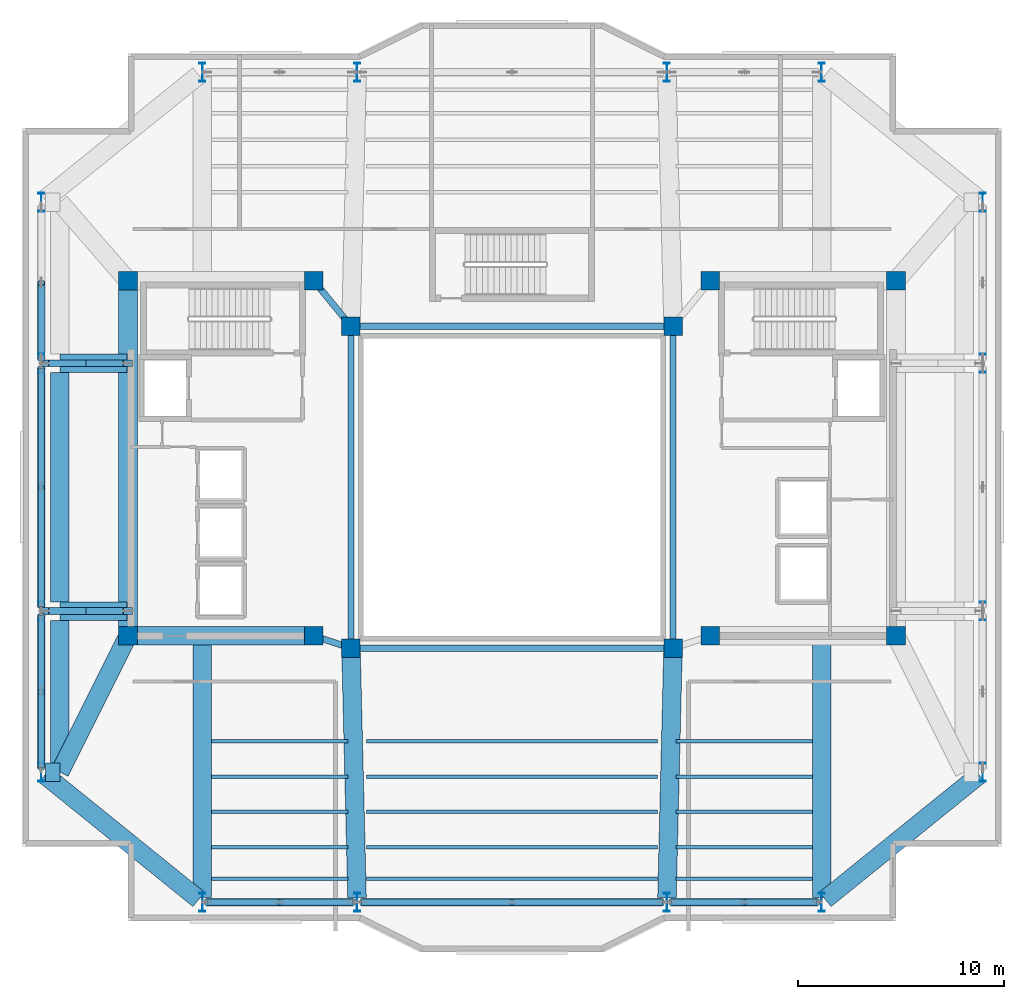
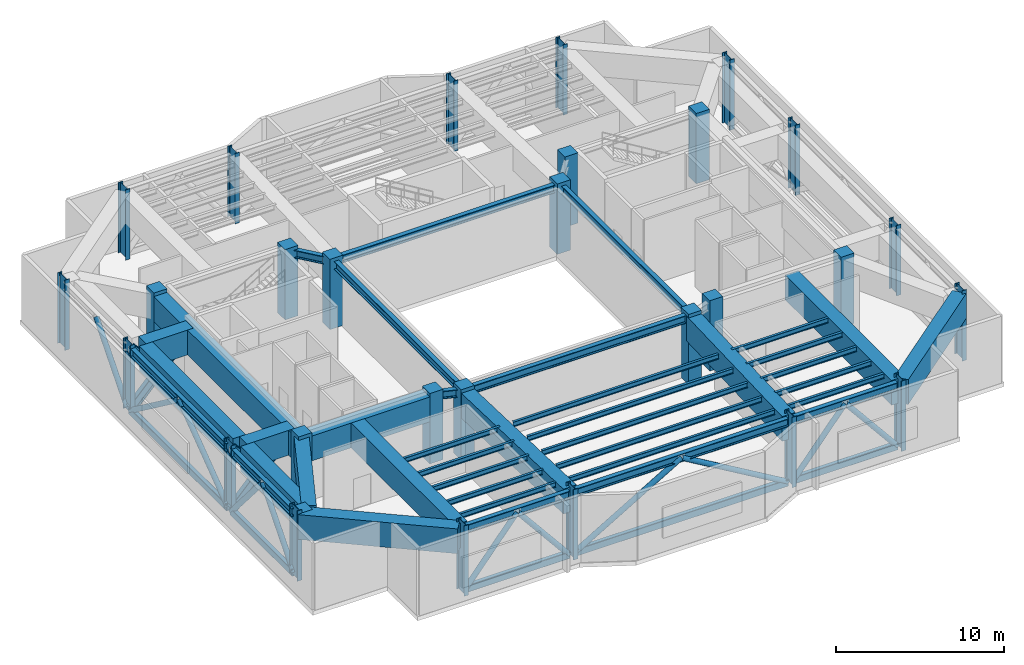
# One storey, part 1 of 13: 40 beams, 28 columns, 20 members.
"""IFC4 building model written with IfcOpenShell, lengths in metres."""

from ifc_helpers import new_model, si_unit, direction, frame, origin, origin_2d, place, context, subcontext, project, spatial, rectangle, hollow_rectangle, hollow_circle, i_section, extrude, material, material_profile, profile_set, type_object, element, save


model = new_model("IFC4")

# Units and contexts
model_context = context("Model", 3, precision=1e-05, world=origin(), true_north=direction((0.0, 1.0)))
body_context = subcontext(model_context, "Body", "Model", "MODEL_VIEW")
ifc_project = project(units=[si_unit("LENGTHUNIT", "METRE"), si_unit("AREAUNIT", "SQUARE_METRE"), si_unit("VOLUMEUNIT", "CUBIC_METRE"), si_unit("PLANEANGLEUNIT", "RADIAN"), si_unit("MASSUNIT", "GRAM", prefix="KILO")], contexts=[model_context])

# Site, building, storey
site_placement = place(None, origin())
site = spatial("IfcSite", under=ifc_project, at=site_placement, CompositionType="ELEMENT")
building_placement = place(site_placement, origin())
building = spatial("IfcBuilding", under=site, at=building_placement, Name="Tarnavaz Court Tower", CompositionType="ELEMENT")
storey_placement = place(building_placement, frame((0.0, 0.0, 236.39990234375)))
storey = spatial("IfcBuildingStorey", under=building, at=storey_placement, Name="L64", CompositionType="ELEMENT", Elevation=236.39990234375)

# Columns
ifc_material_1 = material(Name="Concrete C50/60", Category="concrete")
ifc_material_profile_1 = material_profile(ifc_material_1, rectangle(XDim=0.89990234375, YDim=0.89990234375, at=origin_2d()), Name="RC 900X900")
ifc_profile_set_1 = profile_set([ifc_material_profile_1], Name="Concrete C50/60")
column_type_1 = type_object("IfcColumnType", Name="CL-RC900", PredefinedType="COLUMN", material=ifc_profile_set_1)
for number, where, z_axis, x_axis, name in (
    (1, (-7.800048828125, -7.800048828125, 0.0), (0.0, 0.0, 1.0), (1.0, 0.0, 0.0), "L64 Column IW-SW"),
    (2, (7.800048828125, -7.800048828125, 0.0), (0.0, 0.0, 1.0), (1.0, 0.0, 0.0), "L64 Column IW-SE"),
    (3, (-7.800048828125, 7.800048828125, 0.0), (0.0, 0.0, 1.0), (1.0, 0.0, 0.0), "L64 Column IW-NW"),
    (4, (7.800048828125, 7.800048828125, 0.0), (0.0, 0.0, 1.0), (1.0, 0.0, 0.0), "L64 Column IW-NE"),
    (5, (-9.60009765625, -7.199951171875, 0.0), (0.0, 0.0, 1.0), (1.0, 0.0, 0.0), "L64 Column CW-SI"),
    (6, (-9.60009765625, 10.0, 0.0), (0.0, 0.0, 1.0), (1.0, 0.0, 0.0), "L64 Column CW-NI"),
    (7, (9.60009765625, -7.199951171875, 0.0), (0.0, 0.0, 1.0), (1.0, 0.0, 0.0), "L64 Column CE-SI"),
    (8, (9.60009765625, 10.0, 0.0), (0.0, 0.0, 1.0), (1.0, 0.0, 0.0), "L64 Column CE-NI"),
    (9, (-18.60009765625, -7.199951171875, 0.0), (0.0, 0.0, 1.0), (1.0, 0.0, 0.0), "L64 Column CW-SO"),
    (10, (-18.60009765625, 10.0, 0.0), (0.0, 0.0, 1.0), (1.0, 0.0, 0.0), "L64 Column CW-NO"),
    (11, (18.60009765625, -7.199951171875, 0.0), (0.0, 0.0, 1.0), (1.0, 0.0, 0.0), "L64 Column CE-SO"),
    (12, (18.60009765625, 10.0, 0.0), (0.0, 0.0, 1.0), (1.0, 0.0, 0.0), "L64 Column CE-NO"),
):
    element("IfcColumn", number, at=place(storey_placement, frame(where, z_axis=z_axis, x_axis=x_axis)), inside=storey, type_object=column_type_1, Name=name, PredefinedType="COLUMN", context=body_context, shape_type="SweptSolid", body=[
        extrude(rectangle(XDim=0.89990234375, YDim=0.89990234375, at=origin_2d()), origin(), (0.0, 0.0, 1.0), 5.10009765625),
    ])
ifc_material_2 = material(Name="Steel S460", Category="steel")
ifc_material_profile_2 = material_profile(ifc_material_2, i_section(OverallWidth=0.302001953125, OverallDepth=0.909912109375, WebThickness=0.02099609375, FlangeThickness=0.0400390625, FilletRadius=0.030029296875, at=origin_2d()), Name="HEM 900")
ifc_profile_set_2 = profile_set([ifc_material_profile_2], Name="Steel S460")
column_type_2 = type_object("IfcColumnType", Name="CL-S460-HEM900", PredefinedType="COLUMN", material=ifc_profile_set_2)
for number, where, z_axis, x_axis, name in (
    (13, (-15.0, 20.10009765625, 0.0), (0.0, 0.0, 1.0), (1.0, 0.0, 0.0), "L64 Column PN-1"),
    (14, (-7.5, 20.10009765625, 0.0), (0.0, 0.0, 1.0), (1.0, 0.0, 0.0), "L64 Column PN-2"),
    (15, (7.5, 20.10009765625, 0.0), (0.0, 0.0, 1.0), (1.0, 0.0, 0.0), "L64 Column PN-3"),
    (16, (15.0, 20.10009765625, 0.0), (0.0, 0.0, 1.0), (1.0, 0.0, 0.0), "L64 Column PN-4"),
    (17, (-15.0, -20.10009765625, 0.0), (0.0, 0.0, 1.0), (1.0, 0.0, 0.0), "L64 Column PS-1"),
    (18, (-7.5, -20.10009765625, 0.0), (0.0, 0.0, 1.0), (1.0, 0.0, 0.0), "L64 Column PS-2"),
    (19, (7.5, -20.10009765625, 0.0), (0.0, 0.0, 1.0), (1.0, 0.0, 0.0), "L64 Column PS-3"),
    (20, (15.0, -20.10009765625, 0.0), (0.0, 0.0, 1.0), (1.0, 0.0, 0.0), "L64 Column PS-4"),
    (21, (22.800048828125, -13.800048828125, 0.0), (0.0, 0.0, 1.0), (1.0, 0.0, 0.0), "L64 Column PE-1"),
    (22, (22.800048828125, -6.0, 0.0), (0.0, 0.0, 1.0), (1.0, 0.0, 0.0), "L64 Column PE-2"),
    (23, (22.800048828125, 6.0, 0.0), (0.0, 0.0, 1.0), (1.0, 0.0, 0.0), "L64 Column PE-3"),
    (24, (22.800048828125, 13.800048828125, 0.0), (0.0, 0.0, 1.0), (1.0, 0.0, 0.0), "L64 Column PE-4"),
    (25, (-22.800048828125, -13.800048828125, 0.0), (0.0, 0.0, 1.0), (1.0, 0.0, 0.0), "L64 Column PW-1"),
    (26, (-22.800048828125, -6.0, 0.0), (0.0, 0.0, 1.0), (1.0, 0.0, 0.0), "L64 Column PW-2"),
    (27, (-22.800048828125, 6.0, 0.0), (0.0, 0.0, 1.0), (1.0, 0.0, 0.0), "L64 Column PW-3"),
    (28, (-22.800048828125, 13.800048828125, 0.0), (0.0, 0.0, 1.0), (1.0, 0.0, 0.0), "L64 Column PW-4"),
):
    element("IfcColumn", number, at=place(storey_placement, frame(where, z_axis=z_axis, x_axis=x_axis)), inside=storey, type_object=column_type_2, Name=name, PredefinedType="COLUMN", context=body_context, shape_type="SweptSolid", body=[
        extrude(i_section(OverallWidth=0.302001953125, OverallDepth=0.909912109375, WebThickness=0.02099609375, FlangeThickness=0.0400390625, FilletRadius=0.030029296875, at=origin_2d()), origin(), (0.0, 0.0, 1.0), 5.10009765625),
    ])

# Beams
ifc_material_profile_3 = material_profile(ifc_material_2, i_section(OverallWidth=0.305908203125, OverallDepth=0.572021484375, WebThickness=0.02099609375, FlangeThickness=0.0400390625, FilletRadius=0.027099609375, at=origin_2d()), Name="HEM 550")
ifc_profile_set_3 = profile_set([ifc_material_profile_3], Name="Steel S460")
beam_type_1 = type_object("IfcBeamType", Name="BM-BT-HEM550", PredefinedType="USERDEFINED", material=ifc_profile_set_3)
for number, where, z_axis, x_axis, name in (
    (29, (-7.580078125, -7.800048828125, 4.564208984375), (1.0, 0.0, 0.0), (0.0, 1.0, 0.0), "L64 Beam IN-IW-SW-IW-SE"),
    (30, (-7.580078125, 7.800048828125, 4.564208984375), (1.0, 0.0, 0.0), (0.0, 1.0, 0.0), "L64 Beam IN-IW-NW-IW-NE"),
    (31, (-7.800048828125, -7.580078125, 4.564208984375), (0.0, 1.0, 0.0), (-1.0, 0.0, 0.0), "L64 Beam IN-IW-SW-IW-NW"),
    (32, (7.800048828125, -7.580078125, 4.564208984375), (0.0, 1.0, 0.0), (-1.0, 0.0, 0.0), "L64 Beam IN-IW-SE-IW-NE"),
):
    element("IfcBeam", number, at=place(storey_placement, frame(where, z_axis=z_axis, x_axis=x_axis)), inside=storey, type_object=beam_type_1, Name=name, ObjectType="GIRDER", PredefinedType="USERDEFINED", context=body_context, shape_type="SweptSolid", body=[
        extrude(i_section(OverallWidth=0.305908203125, OverallDepth=0.572021484375, WebThickness=0.02099609375, FlangeThickness=0.0400390625, FilletRadius=0.027099609375, at=origin_2d()), origin(), (0.0, 0.0, 1.0), 15.16015625),
    ])
beam_1_placement = place(storey_placement, frame((-9.391357421875, -7.26953125, 4.564208984375), z_axis=(0.948666544706, -0.316278021615, 0.0), x_axis=(0.316278021615, 0.948666544706, 0.0)))
element("IfcBeam", 33, at=beam_1_placement, inside=storey, type_object=beam_type_1, Name="L64 Beam IN-CW-SI-IW-SW", ObjectType="GIRDER", PredefinedType="USERDEFINED", context=body_context, shape_type="SweptSolid", body=[
    extrude(i_section(OverallWidth=0.305908203125, OverallDepth=0.572021484375, WebThickness=0.02099609375, FlangeThickness=0.0400390625, FilletRadius=0.027099609375, at=origin_2d()), origin(), (0.0, 0.0, 1.0), 1.457275390625),
])
beam_2_placement = place(storey_placement, frame((-9.460693359375, 9.82958984375, 4.564208984375), z_axis=(0.633282058357, -0.773921077735, 0.0), x_axis=(0.773921077735, 0.633282058357, 0.0)))
element("IfcBeam", 34, at=beam_2_placement, inside=storey, type_object=beam_type_1, Name="L64 Beam IN-CW-NI-IW-NW", ObjectType="GIRDER", PredefinedType="USERDEFINED", context=body_context, shape_type="SweptSolid", body=[
    extrude(i_section(OverallWidth=0.305908203125, OverallDepth=0.572021484375, WebThickness=0.02099609375, FlangeThickness=0.0400390625, FilletRadius=0.027099609375, at=origin_2d()), origin(), (0.0, 0.0, 1.0), 2.402587890625),
])
beam_3_placement = place(storey_placement, frame((-14.780029296875, -20.10009765625, 4.564208984375), z_axis=(1.0, 0.0, 0.0), x_axis=(0.0, 1.0, 0.0)))
element("IfcBeam", 35, at=beam_3_placement, inside=storey, type_object=beam_type_1, Name="L64 Beam PR-PS-1-PS-2", ObjectType="GIRDER", PredefinedType="USERDEFINED", context=body_context, shape_type="SweptSolid", body=[
    extrude(i_section(OverallWidth=0.305908203125, OverallDepth=0.572021484375, WebThickness=0.02099609375, FlangeThickness=0.0400390625, FilletRadius=0.027099609375, at=origin_2d()), origin(), (0.0, 0.0, 1.0), 7.06005859375),
])
beam_4_placement = place(storey_placement, frame((-7.280029296875, -20.10009765625, 4.564208984375), z_axis=(1.0, 0.0, 0.0), x_axis=(0.0, 1.0, 0.0)))
element("IfcBeam", 36, at=beam_4_placement, inside=storey, type_object=beam_type_1, Name="L64 Beam PR-PS-2-PS-3", ObjectType="GIRDER", PredefinedType="USERDEFINED", context=body_context, shape_type="SweptSolid", body=[
    extrude(i_section(OverallWidth=0.305908203125, OverallDepth=0.572021484375, WebThickness=0.02099609375, FlangeThickness=0.0400390625, FilletRadius=0.027099609375, at=origin_2d()), origin(), (0.0, 0.0, 1.0), 14.56005859375),
])
beam_5_placement = place(storey_placement, frame((7.719970703125, -20.10009765625, 4.564208984375), z_axis=(1.0, 0.0, 0.0), x_axis=(0.0, 1.0, 0.0)))
element("IfcBeam", 37, at=beam_5_placement, inside=storey, type_object=beam_type_1, Name="L64 Beam PR-PS-3-PS-4", ObjectType="GIRDER", PredefinedType="USERDEFINED", context=body_context, shape_type="SweptSolid", body=[
    extrude(i_section(OverallWidth=0.305908203125, OverallDepth=0.572021484375, WebThickness=0.02099609375, FlangeThickness=0.0400390625, FilletRadius=0.027099609375, at=origin_2d()), origin(), (0.0, 0.0, 1.0), 7.06005859375),
])
beam_6_placement = place(storey_placement, frame((-22.800048828125, -13.580078125, 4.564208984375), z_axis=(0.0, 1.0, 0.0), x_axis=(-1.0, 0.0, 0.0)))
element("IfcBeam", 38, at=beam_6_placement, inside=storey, type_object=beam_type_1, Name="L64 Beam PR-PW-1-PW-2", ObjectType="GIRDER", PredefinedType="USERDEFINED", context=body_context, shape_type="SweptSolid", body=[
    extrude(i_section(OverallWidth=0.305908203125, OverallDepth=0.572021484375, WebThickness=0.02099609375, FlangeThickness=0.0400390625, FilletRadius=0.027099609375, at=origin_2d()), origin(), (0.0, 0.0, 1.0), 7.360107421875),
])
beam_7_placement = place(storey_placement, frame((-22.800048828125, -5.780029296875, 4.564208984375), z_axis=(0.0, 1.0, 0.0), x_axis=(-1.0, 0.0, 0.0)))
element("IfcBeam", 39, at=beam_7_placement, inside=storey, type_object=beam_type_1, Name="L64 Beam PR-PW-2-PW-3", ObjectType="GIRDER", PredefinedType="USERDEFINED", context=body_context, shape_type="SweptSolid", body=[
    extrude(i_section(OverallWidth=0.305908203125, OverallDepth=0.572021484375, WebThickness=0.02099609375, FlangeThickness=0.0400390625, FilletRadius=0.027099609375, at=origin_2d()), origin(), (0.0, 0.0, 1.0), 11.56005859375),
])
ifc_material_3 = material(Name="Steel S355", Category="steel")
ifc_material_profile_4 = material_profile(ifc_material_3, i_section(OverallWidth=0.169921875, OverallDepth=0.360107421875, WebThickness=0.008056640625, FlangeThickness=0.0126953125, FilletRadius=0.01806640625, at=origin_2d()), Name="IPE 360")
ifc_profile_set_4 = profile_set([ifc_material_profile_4], Name="Steel S355")
beam_type_2 = type_object("IfcBeamType", Name="BM-J-IPE360", PredefinedType="JOIST", material=ifc_profile_set_4)
beam_8_placement = place(storey_placement, frame((-14.550048828125, -12.31005859375, 4.670166015625), z_axis=(1.0, 0.0, 0.0), x_axis=(0.0, 1.0, 0.0)))
element("IfcBeam", 40, at=beam_8_placement, inside=storey, type_object=beam_type_2, Name="L64 Beam JS1-1", PredefinedType="JOIST", context=body_context, shape_type="SweptSolid", body=[
    extrude(i_section(OverallWidth=0.169921875, OverallDepth=0.360107421875, WebThickness=0.008056640625, FlangeThickness=0.0126953125, FilletRadius=0.01806640625, at=origin_2d()), origin(), (0.0, 0.0, 1.0), 6.60009765625),
])
beam_9_placement = place(storey_placement, frame((-7.050048828125, -12.31005859375, 4.670166015625), z_axis=(1.0, 0.0, 0.0), x_axis=(0.0, 1.0, 0.0)))
element("IfcBeam", 41, at=beam_9_placement, inside=storey, type_object=beam_type_2, Name="L64 Beam JS1-2", PredefinedType="JOIST", context=body_context, shape_type="SweptSolid", body=[
    extrude(i_section(OverallWidth=0.169921875, OverallDepth=0.360107421875, WebThickness=0.008056640625, FlangeThickness=0.0126953125, FilletRadius=0.01806640625, at=origin_2d()), origin(), (0.0, 0.0, 1.0), 14.10009765625),
])
for number, where, z_axis, x_axis, name in (
    (42, (7.949951171875, -12.31005859375, 4.670166015625), (1.0, 0.0, 0.0), (0.0, 1.0, 0.0), "L64 Beam JS1-3"),
    (43, (-14.550048828125, -14.02001953125, 4.670166015625), (1.0, 0.0, 0.0), (0.0, 1.0, 0.0), "L64 Beam JS2-1"),
):
    element("IfcBeam", number, at=place(storey_placement, frame(where, z_axis=z_axis, x_axis=x_axis)), inside=storey, type_object=beam_type_2, Name=name, PredefinedType="JOIST", context=body_context, shape_type="SweptSolid", body=[
        extrude(i_section(OverallWidth=0.169921875, OverallDepth=0.360107421875, WebThickness=0.008056640625, FlangeThickness=0.0126953125, FilletRadius=0.01806640625, at=origin_2d()), origin(), (0.0, 0.0, 1.0), 6.60009765625),
    ])
beam_10_placement = place(storey_placement, frame((-7.050048828125, -14.02001953125, 4.670166015625), z_axis=(1.0, 0.0, 0.0), x_axis=(0.0, 1.0, 0.0)))
element("IfcBeam", 44, at=beam_10_placement, inside=storey, type_object=beam_type_2, Name="L64 Beam JS2-2", PredefinedType="JOIST", context=body_context, shape_type="SweptSolid", body=[
    extrude(i_section(OverallWidth=0.169921875, OverallDepth=0.360107421875, WebThickness=0.008056640625, FlangeThickness=0.0126953125, FilletRadius=0.01806640625, at=origin_2d()), origin(), (0.0, 0.0, 1.0), 14.10009765625),
])
for number, where, z_axis, x_axis, name in (
    (45, (7.949951171875, -14.02001953125, 4.670166015625), (1.0, 0.0, 0.0), (0.0, 1.0, 0.0), "L64 Beam JS2-3"),
    (46, (-14.550048828125, -15.72998046875, 4.670166015625), (1.0, 0.0, 0.0), (0.0, 1.0, 0.0), "L64 Beam JS3-1"),
):
    element("IfcBeam", number, at=place(storey_placement, frame(where, z_axis=z_axis, x_axis=x_axis)), inside=storey, type_object=beam_type_2, Name=name, PredefinedType="JOIST", context=body_context, shape_type="SweptSolid", body=[
        extrude(i_section(OverallWidth=0.169921875, OverallDepth=0.360107421875, WebThickness=0.008056640625, FlangeThickness=0.0126953125, FilletRadius=0.01806640625, at=origin_2d()), origin(), (0.0, 0.0, 1.0), 6.60009765625),
    ])
beam_11_placement = place(storey_placement, frame((-7.050048828125, -15.72998046875, 4.670166015625), z_axis=(1.0, 0.0, 0.0), x_axis=(0.0, 1.0, 0.0)))
element("IfcBeam", 47, at=beam_11_placement, inside=storey, type_object=beam_type_2, Name="L64 Beam JS3-2", PredefinedType="JOIST", context=body_context, shape_type="SweptSolid", body=[
    extrude(i_section(OverallWidth=0.169921875, OverallDepth=0.360107421875, WebThickness=0.008056640625, FlangeThickness=0.0126953125, FilletRadius=0.01806640625, at=origin_2d()), origin(), (0.0, 0.0, 1.0), 14.10009765625),
])
for number, where, z_axis, x_axis, name in (
    (48, (7.949951171875, -15.72998046875, 4.670166015625), (1.0, 0.0, 0.0), (0.0, 1.0, 0.0), "L64 Beam JS3-3"),
    (49, (-14.550048828125, -17.43994140625, 4.670166015625), (1.0, 0.0, 0.0), (0.0, 1.0, 0.0), "L64 Beam JS4-1"),
):
    element("IfcBeam", number, at=place(storey_placement, frame(where, z_axis=z_axis, x_axis=x_axis)), inside=storey, type_object=beam_type_2, Name=name, PredefinedType="JOIST", context=body_context, shape_type="SweptSolid", body=[
        extrude(i_section(OverallWidth=0.169921875, OverallDepth=0.360107421875, WebThickness=0.008056640625, FlangeThickness=0.0126953125, FilletRadius=0.01806640625, at=origin_2d()), origin(), (0.0, 0.0, 1.0), 6.60009765625),
    ])
beam_12_placement = place(storey_placement, frame((-7.050048828125, -17.43994140625, 4.670166015625), z_axis=(1.0, 0.0, 0.0), x_axis=(0.0, 1.0, 0.0)))
element("IfcBeam", 50, at=beam_12_placement, inside=storey, type_object=beam_type_2, Name="L64 Beam JS4-2", PredefinedType="JOIST", context=body_context, shape_type="SweptSolid", body=[
    extrude(i_section(OverallWidth=0.169921875, OverallDepth=0.360107421875, WebThickness=0.008056640625, FlangeThickness=0.0126953125, FilletRadius=0.01806640625, at=origin_2d()), origin(), (0.0, 0.0, 1.0), 14.10009765625),
])
for number, where, z_axis, x_axis, name in (
    (51, (7.949951171875, -17.43994140625, 4.670166015625), (1.0, 0.0, 0.0), (0.0, 1.0, 0.0), "L64 Beam JS4-3"),
    (52, (-14.550048828125, -18.9599609375, 4.670166015625), (1.0, 0.0, 0.0), (0.0, 1.0, 0.0), "L64 Beam JS5-1"),
):
    element("IfcBeam", number, at=place(storey_placement, frame(where, z_axis=z_axis, x_axis=x_axis)), inside=storey, type_object=beam_type_2, Name=name, PredefinedType="JOIST", context=body_context, shape_type="SweptSolid", body=[
        extrude(i_section(OverallWidth=0.169921875, OverallDepth=0.360107421875, WebThickness=0.008056640625, FlangeThickness=0.0126953125, FilletRadius=0.01806640625, at=origin_2d()), origin(), (0.0, 0.0, 1.0), 6.60009765625),
    ])
beam_13_placement = place(storey_placement, frame((-7.050048828125, -18.9599609375, 4.670166015625), z_axis=(1.0, 0.0, 0.0), x_axis=(0.0, 1.0, 0.0)))
element("IfcBeam", 53, at=beam_13_placement, inside=storey, type_object=beam_type_2, Name="L64 Beam JS5-2", PredefinedType="JOIST", context=body_context, shape_type="SweptSolid", body=[
    extrude(i_section(OverallWidth=0.169921875, OverallDepth=0.360107421875, WebThickness=0.008056640625, FlangeThickness=0.0126953125, FilletRadius=0.01806640625, at=origin_2d()), origin(), (0.0, 0.0, 1.0), 14.10009765625),
])
beam_14_placement = place(storey_placement, frame((7.949951171875, -18.9599609375, 4.670166015625), z_axis=(1.0, 0.0, 0.0), x_axis=(0.0, 1.0, 0.0)))
element("IfcBeam", 54, at=beam_14_placement, inside=storey, type_object=beam_type_2, Name="L64 Beam JS5-3", PredefinedType="JOIST", context=body_context, shape_type="SweptSolid", body=[
    extrude(i_section(OverallWidth=0.169921875, OverallDepth=0.360107421875, WebThickness=0.008056640625, FlangeThickness=0.0126953125, FilletRadius=0.01806640625, at=origin_2d()), origin(), (0.0, 0.0, 1.0), 6.60009765625),
])
ifc_material_profile_5 = material_profile(ifc_material_1, rectangle(XDim=0.89990234375, YDim=1.800048828125, at=origin_2d()), Name="RC 900X1800")
ifc_profile_set_5 = profile_set([ifc_material_profile_5], Name="Concrete C50/60")
beam_type_3 = type_object("IfcBeamType", Name="BM-TG1800", PredefinedType="USERDEFINED", material=ifc_profile_set_5)
beam_15_placement = place(storey_placement, frame((-18.3798828125, -7.199951171875, 3.9501953125), z_axis=(1.0, 0.0, 0.0), x_axis=(0.0, 1.0, 0.0)))
element("IfcBeam", 55, at=beam_15_placement, inside=storey, type_object=beam_type_3, Name="L64 Beam IN-CW-SO-CW-SI", ObjectType="GIRDER", PredefinedType="USERDEFINED", context=body_context, shape_type="SweptSolid", body=[
    extrude(rectangle(XDim=0.89990234375, YDim=1.800048828125, at=origin_2d()), origin(), (0.0, 0.0, 1.0), 8.559814453125),
])
beam_16_placement = place(storey_placement, frame((-18.60009765625, -6.97998046875, 3.9501953125), z_axis=(0.0, 1.0, 0.0), x_axis=(-1.0, 0.0, 0.0)))
element("IfcBeam", 56, at=beam_16_placement, inside=storey, type_object=beam_type_3, Name="L64 Beam IN-CW-SO-CW-NO", ObjectType="GIRDER", PredefinedType="USERDEFINED", context=body_context, shape_type="SweptSolid", body=[
    extrude(rectangle(XDim=0.89990234375, YDim=1.800048828125, at=origin_2d()), origin(), (0.0, 0.0, 1.0), 16.760009765625),
])
for number, where, z_axis, x_axis, name in (
    (57, (22.62890625, -13.938232421875, 3.9501953125), (-0.777935913531, -0.628343627674, 0.0), (0.628343627674, -0.777935913531, 0.0), "L64 Beam PR-PE-1-PS-4"),
    (58, (-15.171142578125, -19.9619140625, 3.9501953125), (-0.777935913531, 0.628343627674, 0.0), (-0.628343627674, -0.777935913531, 0.0), "L64 Beam PR-PS-1-PW-1"),
):
    element("IfcBeam", number, at=place(storey_placement, frame(where, z_axis=z_axis, x_axis=x_axis)), inside=storey, type_object=beam_type_3, Name=name, ObjectType="GIRDER", PredefinedType="USERDEFINED", context=body_context, shape_type="SweptSolid", body=[
        extrude(rectangle(XDim=0.89990234375, YDim=1.800048828125, at=origin_2d()), origin(), (0.0, 0.0, 1.0), 9.586669921875),
    ])
beam_17_placement = place(storey_placement, frame((-15.0, -7.239990234375, 3.9501953125), z_axis=(0.0, -1.0, 0.0), x_axis=(1.0, 0.0, 0.0)))
element("IfcBeam", 59, at=beam_17_placement, inside=storey, type_object=beam_type_3, Name="L64 Beam RG-05", ObjectType="GIRDER", PredefinedType="USERDEFINED", context=body_context, shape_type="SweptSolid", body=[
    extrude(rectangle(XDim=0.89990234375, YDim=1.800048828125, at=origin_2d()), origin(), (0.0, 0.0, 1.0), 12.639892578125),
])
for number, where, z_axis, x_axis, name in (
    (60, (-7.794677734375, -8.02001953125, 3.9501953125), (0.024386002211, -0.99970261723, 0.0), (0.99970261723, 0.024386002211, 0.0), "L64 Beam RG-06"),
    (61, (7.794677734375, -8.02001953125, 3.9501953125), (-0.024386002211, -0.99970261723, 0.0), (0.99970261723, -0.024386002211, 0.0), "L64 Beam RG-07"),
):
    element("IfcBeam", number, at=place(storey_placement, frame(where, z_axis=z_axis, x_axis=x_axis)), inside=storey, type_object=beam_type_3, Name=name, ObjectType="GIRDER", PredefinedType="USERDEFINED", context=body_context, shape_type="SweptSolid", body=[
        extrude(rectangle(XDim=0.89990234375, YDim=1.800048828125, at=origin_2d()), origin(), (0.0, 0.0, 1.0), 11.863525390625),
    ])
beam_18_placement = place(storey_placement, frame((15.0, -7.239990234375, 3.9501953125), z_axis=(0.0, -1.0, 0.0), x_axis=(1.0, 0.0, 0.0)))
element("IfcBeam", 62, at=beam_18_placement, inside=storey, type_object=beam_type_3, Name="L64 Beam RG-08", ObjectType="GIRDER", PredefinedType="USERDEFINED", context=body_context, shape_type="SweptSolid", body=[
    extrude(rectangle(XDim=0.89990234375, YDim=1.800048828125, at=origin_2d()), origin(), (0.0, 0.0, 1.0), 12.639892578125),
])
for number, where, z_axis, x_axis, name in (
    (63, (-18.639892578125, -6.0, 3.9501953125), (-1.0, 0.0, 0.0), (0.0, -1.0, 0.0), "L64 Beam RG-13"),
    (64, (-18.639892578125, 6.0, 3.9501953125), (-1.0, 0.0, 0.0), (0.0, -1.0, 0.0), "L64 Beam RG-14"),
):
    element("IfcBeam", number, at=place(storey_placement, frame(where, z_axis=z_axis, x_axis=x_axis)), inside=storey, type_object=beam_type_3, Name=name, ObjectType="GIRDER", PredefinedType="USERDEFINED", context=body_context, shape_type="SweptSolid", body=[
        extrude(rectangle(XDim=0.89990234375, YDim=1.800048828125, at=origin_2d()), origin(), (0.0, 0.0, 1.0), 3.260009765625),
    ])
beam_19_placement = place(storey_placement, frame((-18.689453125, -7.37890625, 3.9501953125), z_axis=(-0.447199992407, -0.894433992417, 0.0), x_axis=(0.894433992417, -0.447199992407, 0.0)))
element("IfcBeam", 65, at=beam_19_placement, inside=storey, type_object=beam_type_3, Name="L64 Beam TG-SET-WS", ObjectType="GIRDER", PredefinedType="USERDEFINED", context=body_context, shape_type="SweptSolid", body=[
    extrude(rectangle(XDim=0.89990234375, YDim=1.800048828125, at=origin_2d()), origin(), (0.0, 0.0, 1.0), 7.178955078125),
])
beam_20_placement = place(storey_placement, frame((-21.89990234375, -13.800048828125, 3.9501953125), z_axis=(-1.0, 0.0, 0.0), x_axis=(0.0, -1.0, 0.0)))
element("IfcBeam", 66, at=beam_20_placement, inside=storey, type_object=beam_type_3, Name="L64 Beam TG-OUT-WS", ObjectType="GIRDER", PredefinedType="USERDEFINED", context=body_context, shape_type="SweptSolid", body=[
    extrude(rectangle(XDim=0.89990234375, YDim=1.800048828125, at=origin_2d()), origin(), (0.0, 0.0, 1.0), 0.7001953125),
])
beam_21_placement = place(storey_placement, frame((-21.89990234375, -13.780029296875, 3.9501953125), z_axis=(0.0, 1.0, 0.0), x_axis=(-1.0, 0.0, 0.0)))
element("IfcBeam", 67, at=beam_21_placement, inside=storey, type_object=beam_type_3, Name="L64 Beam TG-TIE-W1", ObjectType="GIRDER", PredefinedType="USERDEFINED", context=body_context, shape_type="SweptSolid", body=[
    extrude(rectangle(XDim=0.89990234375, YDim=1.800048828125, at=origin_2d()), origin(), (0.0, 0.0, 1.0), 7.330078125),
])
beam_22_placement = place(storey_placement, frame((-21.89990234375, -5.550048828125, 3.9501953125), z_axis=(0.0, 1.0, 0.0), x_axis=(-1.0, 0.0, 0.0)))
element("IfcBeam", 68, at=beam_22_placement, inside=storey, type_object=beam_type_3, Name="L64 Beam TG-TIE-W2", ObjectType="GIRDER", PredefinedType="USERDEFINED", context=body_context, shape_type="SweptSolid", body=[
    extrude(rectangle(XDim=0.89990234375, YDim=1.800048828125, at=origin_2d()), origin(), (0.0, 0.0, 1.0), 11.10009765625),
])

# Members
ifc_material_profile_6 = material_profile(ifc_material_2, hollow_circle(Radius=0.177734375, WallThickness=0.01611328125, at=origin_2d()), Name="CHS 355.6X16")
ifc_profile_set_6 = profile_set([ifc_material_profile_6], Name="Steel S460")
member_type_1 = type_object("IfcMemberType", Name="MB-BT-CHS356", PredefinedType="BRACE", material=ifc_profile_set_6)
for number, where, z_axis, x_axis, name in (
    (69, (-14.780029296875, -20.10009765625, 0.2001953125), (0.634529769214, 0.0, 0.772898422809), (0.0, 1.0, 0.0), "L64 Belt Truss Diagonal 04A"),
    (70, (-7.719970703125, -20.10009765625, 0.2001953125), (-0.634529769214, 0.0, 0.772898422809), (0.0, -1.0, 0.0), "L64 Belt Truss Diagonal 04B"),
):
    element("IfcMember", number, at=place(storey_placement, frame(where, z_axis=z_axis, x_axis=x_axis)), inside=storey, type_object=member_type_1, Name=name, PredefinedType="BRACE", context=body_context, shape_type="SweptSolid", body=[
        extrude(hollow_circle(Radius=0.177734375, WallThickness=0.01611328125, at=origin_2d()), origin(), (0.0, 0.0, 1.0), 5.563232421875),
    ])
for number, where, z_axis, x_axis, name in (
    (71, (-7.280029296875, -20.10009765625, 0.2001953125), (0.861031707771, 0.0, 0.508551273928), (0.0, 1.0, 0.0), "L64 Belt Truss Diagonal 05A"),
    (72, (7.280029296875, -20.10009765625, 0.2001953125), (-0.861031707771, 0.0, 0.508551273928), (0.0, -1.0, 0.0), "L64 Belt Truss Diagonal 05B"),
):
    element("IfcMember", number, at=place(storey_placement, frame(where, z_axis=z_axis, x_axis=x_axis)), inside=storey, type_object=member_type_1, Name=name, PredefinedType="BRACE", context=body_context, shape_type="SweptSolid", body=[
        extrude(hollow_circle(Radius=0.177734375, WallThickness=0.01611328125, at=origin_2d()), origin(), (0.0, 0.0, 1.0), 8.455078125),
    ])
for number, where, z_axis, x_axis, name in (
    (73, (7.719970703125, -20.10009765625, 0.2001953125), (0.634529769214, 0.0, 0.772898422809), (0.0, 1.0, 0.0), "L64 Belt Truss Diagonal 06A"),
    (74, (14.780029296875, -20.10009765625, 0.2001953125), (-0.634529769214, 0.0, 0.772898422809), (0.0, -1.0, 0.0), "L64 Belt Truss Diagonal 06B"),
):
    element("IfcMember", number, at=place(storey_placement, frame(where, z_axis=z_axis, x_axis=x_axis)), inside=storey, type_object=member_type_1, Name=name, PredefinedType="BRACE", context=body_context, shape_type="SweptSolid", body=[
        extrude(hollow_circle(Radius=0.177734375, WallThickness=0.01611328125, at=origin_2d()), origin(), (0.0, 0.0, 1.0), 5.563232421875),
    ])
member_1_placement = place(storey_placement, frame((-22.800048828125, -13.580078125, 0.2001953125), z_axis=(0.0, 0.65024412839, 0.759725327664), x_axis=(-1.0, 0.0, 0.0)))
element("IfcMember", 75, at=member_1_placement, inside=storey, type_object=member_type_1, Name="L64 Belt Truss Diagonal 10A", PredefinedType="BRACE", context=body_context, shape_type="SweptSolid", body=[
    extrude(hollow_circle(Radius=0.177734375, WallThickness=0.01611328125, at=origin_2d()), origin(), (0.0, 0.0, 1.0), 5.65966796875),
])
member_2_placement = place(storey_placement, frame((-22.800048828125, -6.219970703125, 0.2001953125), z_axis=(0.0, -0.650219229533, 0.759746637732), x_axis=(1.0, 0.0, 0.0)))
element("IfcMember", 76, at=member_2_placement, inside=storey, type_object=member_type_1, Name="L64 Belt Truss Diagonal 10B", PredefinedType="BRACE", context=body_context, shape_type="SweptSolid", body=[
    extrude(hollow_circle(Radius=0.177734375, WallThickness=0.01611328125, at=origin_2d()), origin(), (0.0, 0.0, 1.0), 5.659423828125),
])
for number, where, z_axis, x_axis, name in (
    (77, (-22.800048828125, -5.780029296875, 0.2001953125), (0.0, 0.802340409966, 0.596866707511), (-1.0, 0.0, 0.0), "L64 Belt Truss Diagonal 11A"),
    (78, (-22.800048828125, 5.780029296875, 0.2001953125), (0.0, -0.802340409966, 0.596866707511), (1.0, 0.0, 0.0), "L64 Belt Truss Diagonal 11B"),
):
    element("IfcMember", number, at=place(storey_placement, frame(where, z_axis=z_axis, x_axis=x_axis)), inside=storey, type_object=member_type_1, Name=name, PredefinedType="BRACE", context=body_context, shape_type="SweptSolid", body=[
        extrude(hollow_circle(Radius=0.177734375, WallThickness=0.01611328125, at=origin_2d()), origin(), (0.0, 0.0, 1.0), 7.203857421875),
    ])
member_3_placement = place(storey_placement, frame((-22.800048828125, 6.219970703125, 0.2001953125), z_axis=(0.0, 0.650219229533, 0.759746637732), x_axis=(-1.0, 0.0, 0.0)))
element("IfcMember", 79, at=member_3_placement, inside=storey, type_object=member_type_1, Name="L64 Belt Truss Diagonal 12A", PredefinedType="BRACE", context=body_context, shape_type="SweptSolid", body=[
    extrude(hollow_circle(Radius=0.177734375, WallThickness=0.01611328125, at=origin_2d()), origin(), (0.0, 0.0, 1.0), 5.659423828125),
])
ifc_material_profile_7 = material_profile(ifc_material_2, hollow_rectangle(XDim=0.300048828125, YDim=0.5, WallThickness=0.02001953125, InnerFilletRadius=0.02001953125, OuterFilletRadius=0.0400390625, at=origin_2d()), Name="RHS 500X300X20")
ifc_profile_set_7 = profile_set([ifc_material_profile_7], Name="Steel S460")
member_type_2 = type_object("IfcMemberType", Name="MB-BT-RHS500", PredefinedType="CHORD", material=ifc_profile_set_7)
member_4_placement = place(storey_placement, frame((-14.780029296875, -20.10009765625, 0.2001953125), z_axis=(1.0, 0.0, 0.0), x_axis=(0.0, 1.0, 0.0)))
element("IfcMember", 80, at=member_4_placement, inside=storey, type_object=member_type_2, Name="L64 Belt Truss Bottom Chord PS-1-PS-2", PredefinedType="CHORD", context=body_context, shape_type="SweptSolid", body=[
    extrude(hollow_rectangle(XDim=0.300048828125, YDim=0.5, WallThickness=0.02001953125, InnerFilletRadius=0.02001953125, OuterFilletRadius=0.0400390625, at=origin_2d()), origin(), (0.0, 0.0, 1.0), 7.06005859375),
])
member_5_placement = place(storey_placement, frame((-7.280029296875, -20.10009765625, 0.2001953125), z_axis=(1.0, 0.0, 0.0), x_axis=(0.0, 1.0, 0.0)))
element("IfcMember", 81, at=member_5_placement, inside=storey, type_object=member_type_2, Name="L64 Belt Truss Bottom Chord PS-2-PS-3", PredefinedType="CHORD", context=body_context, shape_type="SweptSolid", body=[
    extrude(hollow_rectangle(XDim=0.300048828125, YDim=0.5, WallThickness=0.02001953125, InnerFilletRadius=0.02001953125, OuterFilletRadius=0.0400390625, at=origin_2d()), origin(), (0.0, 0.0, 1.0), 14.56005859375),
])
member_6_placement = place(storey_placement, frame((7.719970703125, -20.10009765625, 0.2001953125), z_axis=(1.0, 0.0, 0.0), x_axis=(0.0, 1.0, 0.0)))
element("IfcMember", 82, at=member_6_placement, inside=storey, type_object=member_type_2, Name="L64 Belt Truss Bottom Chord PS-3-PS-4", PredefinedType="CHORD", context=body_context, shape_type="SweptSolid", body=[
    extrude(hollow_rectangle(XDim=0.300048828125, YDim=0.5, WallThickness=0.02001953125, InnerFilletRadius=0.02001953125, OuterFilletRadius=0.0400390625, at=origin_2d()), origin(), (0.0, 0.0, 1.0), 7.06005859375),
])
member_7_placement = place(storey_placement, frame((-22.800048828125, -13.580078125, 0.2001953125), z_axis=(0.0, 1.0, 0.0), x_axis=(-1.0, 0.0, 0.0)))
element("IfcMember", 83, at=member_7_placement, inside=storey, type_object=member_type_2, Name="L64 Belt Truss Bottom Chord PW-1-PW-2", PredefinedType="CHORD", context=body_context, shape_type="SweptSolid", body=[
    extrude(hollow_rectangle(XDim=0.300048828125, YDim=0.5, WallThickness=0.02001953125, InnerFilletRadius=0.02001953125, OuterFilletRadius=0.0400390625, at=origin_2d()), origin(), (0.0, 0.0, 1.0), 7.360107421875),
])
member_8_placement = place(storey_placement, frame((-22.800048828125, -5.780029296875, 0.2001953125), z_axis=(0.0, 1.0, 0.0), x_axis=(-1.0, 0.0, 0.0)))
element("IfcMember", 84, at=member_8_placement, inside=storey, type_object=member_type_2, Name="L64 Belt Truss Bottom Chord PW-2-PW-3", PredefinedType="CHORD", context=body_context, shape_type="SweptSolid", body=[
    extrude(hollow_rectangle(XDim=0.300048828125, YDim=0.5, WallThickness=0.02001953125, InnerFilletRadius=0.02001953125, OuterFilletRadius=0.0400390625, at=origin_2d()), origin(), (0.0, 0.0, 1.0), 11.56005859375),
])
ifc_material_profile_8 = material_profile(ifc_material_2, i_section(OverallWidth=0.3291015625, OverallDepth=0.635009765625, WebThickness=0.017822265625, FlangeThickness=0.031005859375, FilletRadius=0.017822265625, at=origin_2d()), Name="W24X162")
ifc_profile_set_8 = profile_set([ifc_material_profile_8], Name="Steel S460")
member_type_3 = type_object("IfcMemberType", Name="MB-OUT-W24", PredefinedType="BRACE", material=ifc_profile_set_8)
for number, where, z_axis, x_axis, name in (
    (85, (-18.60009765625, -6.0, 0.2001953125), (-0.68652411987, 0.0, 0.727107029836), (0.0, -1.0, 0.0), "L64 Core-to-Ring Outrigger Diagonal 3A"),
    (86, (-18.60009765625, -6.0, 4.5), (-0.68652411987, 0.0, -0.727107029836), (0.0, -1.0, 0.0), "L64 Core-to-Ring Outrigger Tie 3B"),
    (87, (-18.60009765625, 6.0, 0.2001953125), (-0.68652411987, 0.0, 0.727107029836), (0.0, -1.0, 0.0), "L64 Core-to-Ring Outrigger Diagonal 4A"),
    (88, (-18.60009765625, 6.0, 4.5), (-0.68652411987, 0.0, -0.727107029836), (0.0, -1.0, 0.0), "L64 Core-to-Ring Outrigger Tie 4B"),
):
    element("IfcMember", number, at=place(storey_placement, frame(where, z_axis=z_axis, x_axis=x_axis)), inside=storey, type_object=member_type_3, Name=name, PredefinedType="BRACE", context=body_context, shape_type="SweptSolid", body=[
        extrude(i_section(OverallWidth=0.3291015625, OverallDepth=0.635009765625, WebThickness=0.017822265625, FlangeThickness=0.031005859375, FilletRadius=0.017822265625, at=origin_2d()), origin(), (0.0, 0.0, 1.0), 5.91357421875),
    ])

save(model, "model.ifc")
